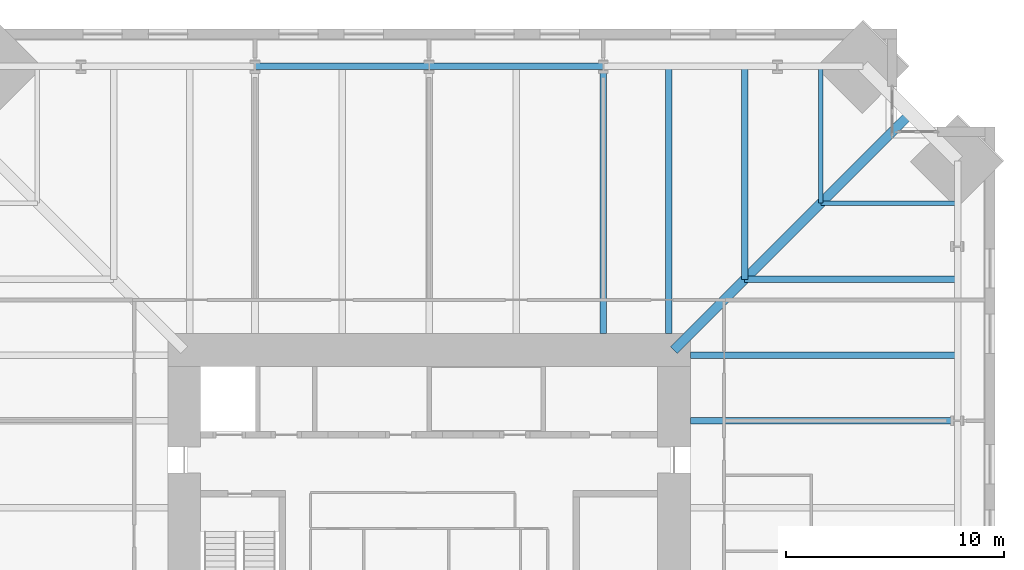
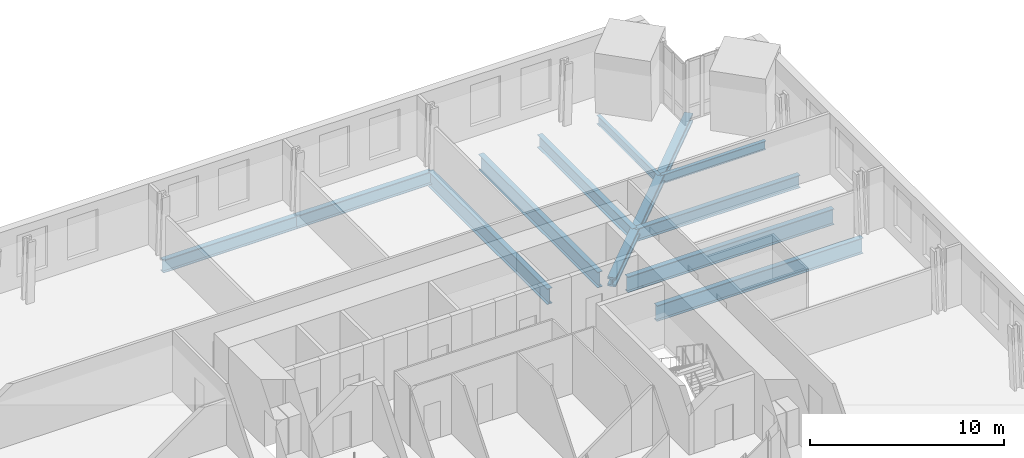
# One storey, part 9 of 18: 11 beams.
"""IFC4 building model written with IfcOpenShell, lengths in metres."""

from ifc_helpers import new_model, si_unit, direction, frame, origin, origin_2d, place, context, subcontext, project, spatial, i_section, extrude, material, material_profile, profile_set, type_object, element, save


model = new_model("IFC4")

# Units and contexts
model_context = context("Model", 3, precision=1e-05, world=origin(), true_north=direction((0.0, 1.0)))
body_context = subcontext(model_context, "Body", "Model", "MODEL_VIEW")
ifc_project = project(units=[si_unit("LENGTHUNIT", "METRE"), si_unit("AREAUNIT", "SQUARE_METRE"), si_unit("VOLUMEUNIT", "CUBIC_METRE"), si_unit("PLANEANGLEUNIT", "RADIAN"), si_unit("MASSUNIT", "GRAM", prefix="KILO")], contexts=[model_context])

# Site, building, storey
site_placement = place(None, origin())
site = spatial("IfcSite", under=ifc_project, at=site_placement, CompositionType="ELEMENT")
building_placement = place(site_placement, origin())
building = spatial("IfcBuilding", under=site, at=building_placement, Name="Peilmerk Tower", CompositionType="ELEMENT")
storey_placement = place(building_placement, frame((0.0, 0.0, 163.800048828125)))
storey = spatial("IfcBuildingStorey", under=building, at=storey_placement, Name="L34", CompositionType="ELEMENT", Elevation=163.800048828125)

# Beams
ifc_material_1 = material(Name="Steel S355", Category="steel")
ifc_material_profile_1 = material_profile(ifc_material_1, i_section(OverallWidth=0.2099609375, OverallDepth=0.550048828125, WebThickness=0.010986328125, FlangeThickness=0.01708984375, at=origin_2d()), Name="IPE 550")
ifc_profile_set_1 = profile_set([ifc_material_profile_1], Name="Steel S355")
beam_type_1 = type_object("IfcBeamType", Name="B12 IPE 550 floor beam", PredefinedType="BEAM", material=ifc_profile_set_1)
for number, where, z_axis, x_axis, name in (
    (1, (18.0, 18.0, -0.445068359375), (0.0, 1.0, 0.0), (-1.0, 0.0, 0.0), "Floor beam L34"),
    (2, (18.0, 18.0, -0.445068359375), (1.0, 0.0, 0.0), (0.0, 1.0, 0.0), "Floor beam L34"),
):
    element("IfcBeam", number, at=place(storey_placement, frame(where, z_axis=z_axis, x_axis=x_axis)), inside=storey, type_object=beam_type_1, Name=name, PredefinedType="BEAM", context=body_context, shape_type="SweptSolid", body=[
        extrude(i_section(OverallWidth=0.2099609375, OverallDepth=0.550048828125, WebThickness=0.010986328125, FlangeThickness=0.01708984375, at=origin_2d()), origin(), (0.0, 0.0, 1.0), 6.2919921875),
    ])
ifc_material_profile_2 = material_profile(ifc_material_1, i_section(OverallWidth=0.300048828125, OverallDepth=0.989990234375, WebThickness=0.0166015625, FlangeThickness=0.031005859375, at=origin_2d()), Name="HEA 1000")
ifc_profile_set_2 = profile_set([ifc_material_profile_2], Name="Steel S355")
beam_type_2 = type_object("IfcBeamType", Name="B14 HEA 1000 floor girder", PredefinedType="BEAM", material=ifc_profile_set_2)
for number, where, z_axis, x_axis, name in (
    (3, (11.0, 12.0, -0.6650390625), (0.0, 1.0, 0.0), (-1.0, 0.0, 0.0), "Floor beam L34"),
    (4, (8.0, 12.0, -0.6650390625), (0.0, 1.0, 0.0), (-1.0, 0.0, 0.0), "Floor beam L34"),
    (5, (12.0, 8.0, -0.6650390625), (1.0, 0.0, 0.0), (0.0, 1.0, 0.0), "Floor beam L34"),
    (6, (12.0, 11.0, -0.6650390625), (1.0, 0.0, 0.0), (0.0, 1.0, 0.0), "Floor beam L34"),
):
    element("IfcBeam", number, at=place(storey_placement, frame(where, z_axis=z_axis, x_axis=x_axis)), inside=storey, type_object=beam_type_2, Name=name, PredefinedType="BEAM", context=body_context, shape_type="SweptSolid", body=[
        extrude(i_section(OverallWidth=0.300048828125, OverallDepth=0.989990234375, WebThickness=0.0166015625, FlangeThickness=0.031005859375, at=origin_2d()), origin(), (0.0, 0.0, 1.0), 12.2919921875),
    ])
ifc_material_profile_3 = material_profile(ifc_material_1, i_section(OverallWidth=0.302978515625, OverallDepth=0.81396484375, WebThickness=0.02099609375, FlangeThickness=0.0400390625, at=origin_2d()), Name="HEM 800")
ifc_profile_set_3 = profile_set([ifc_material_profile_3], Name="Steel S355")
beam_type_3 = type_object("IfcBeamType", Name="B15 HEM 800 edge beam", PredefinedType="SPANDREL", material=ifc_profile_set_3)
for number, where, z_axis, x_axis, name in (
    (7, (8.0, 24.2919921875, -0.5771484375), (-1.0, 0.0, 0.0), (0.0, -1.0, 0.0), "Edge beam L34"),
    (8, (0.0, 24.2919921875, -0.5771484375), (-1.0, 0.0, 0.0), (0.0, -1.0, 0.0), "Edge beam L34"),
):
    element("IfcBeam", number, at=place(storey_placement, frame(where, z_axis=z_axis, x_axis=x_axis)), inside=storey, type_object=beam_type_3, Name=name, PredefinedType="SPANDREL", context=body_context, shape_type="SweptSolid", body=[
        extrude(i_section(OverallWidth=0.302978515625, OverallDepth=0.81396484375, WebThickness=0.02099609375, FlangeThickness=0.0400390625, at=origin_2d()), origin(), (0.0, 0.0, 1.0), 8.0),
    ])
ifc_material_profile_4 = material_profile(ifc_material_1, i_section(OverallWidth=0.300048828125, OverallDepth=0.7900390625, WebThickness=0.014892578125, FlangeThickness=0.028076171875, at=origin_2d()), Name="HEA 800")
ifc_profile_set_4 = profile_set([ifc_material_profile_4], Name="Steel S355")
beam_type_4 = type_object("IfcBeamType", Name="B3 HEA 800 floor beam", PredefinedType="BEAM", material=ifc_profile_set_4)
for number, where, z_axis, x_axis, name in (
    (9, (14.5, 14.5, -0.56494140625), (0.0, 1.0, 0.0), (-1.0, 0.0, 0.0), "Floor beam L34"),
    (10, (14.5, 14.5, -0.56494140625), (1.0, 0.0, 0.0), (0.0, 1.0, 0.0), "Floor beam L34"),
):
    element("IfcBeam", number, at=place(storey_placement, frame(where, z_axis=z_axis, x_axis=x_axis)), inside=storey, type_object=beam_type_4, Name=name, PredefinedType="BEAM", context=body_context, shape_type="SweptSolid", body=[
        extrude(i_section(OverallWidth=0.300048828125, OverallDepth=0.7900390625, WebThickness=0.014892578125, FlangeThickness=0.028076171875, at=origin_2d()), origin(), (0.0, 0.0, 1.0), 9.7919921875),
    ])
ifc_material_2 = material(Name="Steel S460", Category="steel")
ifc_material_profile_5 = material_profile(ifc_material_2, i_section(OverallWidth=0.4541015625, OverallDepth=0.569091796875, WebThickness=0.077880859375, FlangeThickness=0.125, at=origin_2d()), Name="HD 400x1086")
ifc_profile_set_5 = profile_set([ifc_material_profile_5], Name="Steel S460")
beam_type_5 = type_object("IfcBeamType", Name="B9 HD 400x1086 corner girder", PredefinedType="BEAM", material=ifc_profile_set_5)
beam_placement = place(storey_placement, frame((11.25, 11.25, -0.45458984375), z_axis=(0.707106781187, 0.707106781187, 0.0), x_axis=(-0.707106781187, 0.707106781187, 0.0)))
element("IfcBeam", 11, at=beam_placement, inside=storey, type_object=beam_type_5, Name="Corner girder L34", PredefinedType="BEAM", context=body_context, shape_type="SweptSolid", body=[
    extrude(i_section(OverallWidth=0.4541015625, OverallDepth=0.569091796875, WebThickness=0.077880859375, FlangeThickness=0.125, at=origin_2d()), origin(), (0.0, 0.0, 1.0), 15.3681640625),
])

save(model, "model.ifc")
